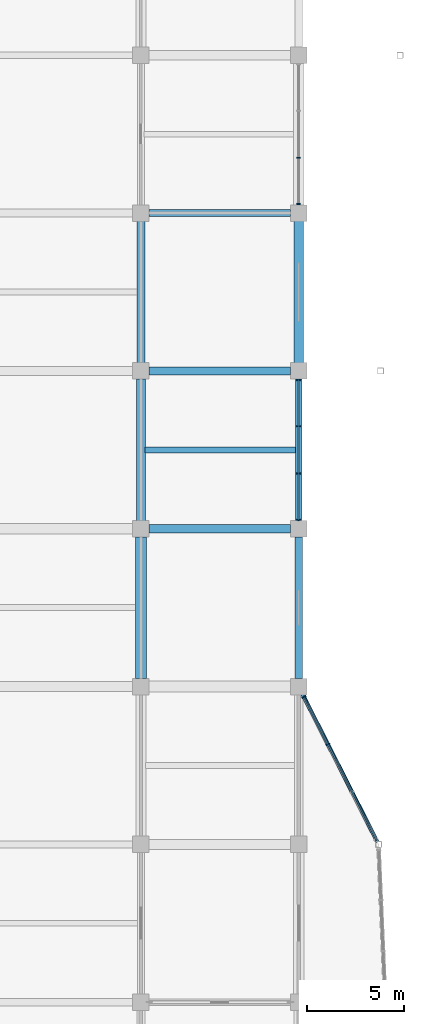
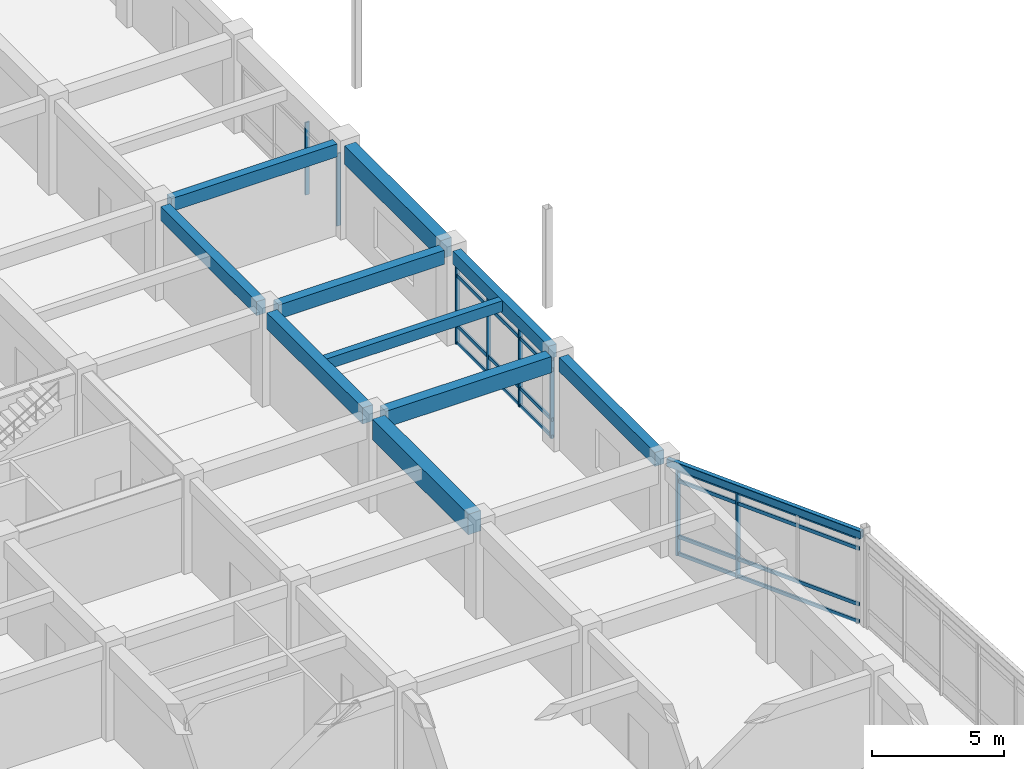
# One storey, part 38 of 93: 16 members, 11 beams, 3 elements without a shape of their own.
"""IFC4 building model written with IfcOpenShell, lengths in metres."""

from ifc_helpers import new_model, si_unit, direction, frame, origin, origin_2d, place, context, subcontext, project, spatial, rectangle, hollow_rectangle, extrude, material, layer, layer_set, material_profile, profile_set, type_object, element, aggregate, save


model = new_model("IFC4")

# Units and contexts
model_context = context("Model", 3, precision=1e-05, world=origin(), true_north=direction((0.0, 1.0)))
body_context = subcontext(model_context, "Body", "Model", "MODEL_VIEW")
ifc_project = project(units=[si_unit("LENGTHUNIT", "METRE"), si_unit("AREAUNIT", "SQUARE_METRE"), si_unit("VOLUMEUNIT", "CUBIC_METRE"), si_unit("PLANEANGLEUNIT", "RADIAN"), si_unit("MASSUNIT", "GRAM", prefix="KILO")], contexts=[model_context])

# Site, building, storey
site_placement = place(None, origin())
site = spatial("IfcSite", under=ifc_project, at=site_placement, CompositionType="ELEMENT")
building_placement = place(site_placement, origin())
building = spatial("IfcBuilding", under=site, at=building_placement, Name="Vaudrelin Polytechnic", CompositionType="ELEMENT")
storey_placement = place(building_placement, frame((0.0, 0.0, 5.10009765625)))
storey = spatial("IfcBuildingStorey", under=building, at=storey_placement, Name="L01", CompositionType="ELEMENT", Elevation=5.10009765625)

# Beams
ifc_material_1 = material(Name="Concrete 40 MPa", Category="concrete")
ifc_material_profile_1 = material_profile(ifc_material_1, rectangle(XDim=0.35009765625, YDim=0.60009765625, at=origin_2d()), Name="RC350x600")
ifc_profile_set_1 = profile_set([ifc_material_profile_1], Name="Concrete 40 MPa")
beam_type_1 = type_object("IfcBeamType", Name="BM-BM-RC3560", PredefinedType="BEAM", material=ifc_profile_set_1)
beam_1_placement = place(storey_placement, frame((170.10009765625, 65.2099609375, 4.010009765625), z_axis=(0.0, 1.0, 0.0), x_axis=(-1.0, 0.0, 0.0)))
element("IfcBeam", 1, at=beam_1_placement, inside=storey, type_object=beam_type_1, Name="L01 Y-beam 22-9", PredefinedType="BEAM", context=body_context, shape_type="SweptSolid", body=[
    extrude(rectangle(XDim=0.35009765625, YDim=0.60009765625, at=origin_2d()), origin(), (0.0, 0.0, 1.0), 7.280029296875),
])
beam_2_placement = place(storey_placement, frame((162.4208984375, 81.0, 4.010009765625), z_axis=(1.0, 0.0, 0.0), x_axis=(0.0, 1.0, 0.0)))
element("IfcBeam", 2, at=beam_2_placement, inside=storey, type_object=beam_type_1, Name="L01 X-beam 21-11", PredefinedType="BEAM", context=body_context, shape_type="SweptSolid", body=[
    extrude(rectangle(XDim=0.35009765625, YDim=0.60009765625, at=origin_2d()), origin(), (0.0, 0.0, 1.0), 7.258056640625),
])
ifc_material_profile_2 = material_profile(ifc_material_1, rectangle(XDim=0.39990234375, YDim=0.64990234375, at=origin_2d()), Name="RC400x650")
ifc_profile_set_2 = profile_set([ifc_material_profile_2], Name="Concrete 40 MPa")
beam_type_2 = type_object("IfcBeamType", Name="BM-BM-RC4065", PredefinedType="BEAM", material=ifc_profile_set_2)
beam_3_placement = place(storey_placement, frame((162.0, 73.31005859375, 3.98486328125), z_axis=(0.0, 1.0, 0.0), x_axis=(-1.0, 0.0, 0.0)))
element("IfcBeam", 3, at=beam_3_placement, inside=storey, type_object=beam_type_2, Name="L01 Y-beam 21-10", PredefinedType="BEAM", context=body_context, shape_type="SweptSolid", body=[
    extrude(rectangle(XDim=0.39990234375, YDim=0.64990234375, at=origin_2d()), origin(), (0.0, 0.0, 1.0), 7.280029296875),
])
beam_4_placement = place(storey_placement, frame((162.4208984375, 72.89990234375, 3.98486328125), z_axis=(1.0, 0.0, 0.0), x_axis=(0.0, 1.0, 0.0)))
element("IfcBeam", 4, at=beam_4_placement, inside=storey, type_object=beam_type_2, Name="L01 X-beam 21-10", PredefinedType="BEAM", context=body_context, shape_type="SweptSolid", body=[
    extrude(rectangle(XDim=0.39990234375, YDim=0.64990234375, at=origin_2d()), origin(), (0.0, 0.0, 1.0), 7.258056640625),
])
ifc_material_profile_3 = material_profile(ifc_material_1, rectangle(XDim=0.449951171875, YDim=0.75, at=origin_2d()), Name="RC450x750")
ifc_profile_set_3 = profile_set([ifc_material_profile_3], Name="Concrete 40 MPa")
beam_type_3 = type_object("IfcBeamType", Name="BM-BM-RC4575", PredefinedType="BEAM", material=ifc_profile_set_3)
beam_5_placement = place(storey_placement, frame((162.0, 65.2099609375, 3.934814453125), z_axis=(0.0, 1.0, 0.0), x_axis=(-1.0, 0.0, 0.0)))
element("IfcBeam", 5, at=beam_5_placement, inside=storey, type_object=beam_type_3, Name="L01 Y-beam 21-9", PredefinedType="BEAM", context=body_context, shape_type="SweptSolid", body=[
    extrude(rectangle(XDim=0.449951171875, YDim=0.75, at=origin_2d()), origin(), (0.0, 0.0, 1.0), 7.280029296875),
])
beam_6_placement = place(storey_placement, frame((162.4208984375, 64.800048828125, 3.934814453125), z_axis=(1.0, 0.0, 0.0), x_axis=(0.0, 1.0, 0.0)))
element("IfcBeam", 6, at=beam_6_placement, inside=storey, type_object=beam_type_3, Name="L01 X-beam 21-9", PredefinedType="BEAM", context=body_context, shape_type="SweptSolid", body=[
    extrude(rectangle(XDim=0.449951171875, YDim=0.75, at=origin_2d()), origin(), (0.0, 0.0, 1.0), 7.258056640625),
])
ifc_material_profile_4 = material_profile(ifc_material_1, rectangle(XDim=0.5, YDim=0.85009765625, at=origin_2d()), Name="RC500x850")
ifc_profile_set_4 = profile_set([ifc_material_profile_4], Name="Concrete 40 MPa")
beam_type_4 = type_object("IfcBeamType", Name="BM-BM-RC5085", PredefinedType="BEAM", material=ifc_profile_set_4)
beam_7_placement = place(storey_placement, frame((170.10009765625, 73.31005859375, 3.885009765625), z_axis=(0.0, 1.0, 0.0), x_axis=(-1.0, 0.0, 0.0)))
element("IfcBeam", 7, at=beam_7_placement, inside=storey, type_object=beam_type_4, Name="L01 Y-beam 22-10", PredefinedType="BEAM", context=body_context, shape_type="SweptSolid", body=[
    extrude(rectangle(XDim=0.5, YDim=0.85009765625, at=origin_2d()), origin(), (0.0, 0.0, 1.0), 7.280029296875),
])
ifc_material_2 = material(Name="Concrete 50 MPa", Category="concrete")
ifc_material_profile_5 = material_profile(ifc_material_2, rectangle(XDim=0.550048828125, YDim=0.949951171875, at=origin_2d()), Name="RC550x950")
ifc_profile_set_5 = profile_set([ifc_material_profile_5], Name="Concrete 50 MPa")
beam_type_5 = type_object("IfcBeamType", Name="BM-BM-RC5595", PredefinedType="BEAM", material=ifc_profile_set_5)
beam_8_placement = place(storey_placement, frame((162.0, 57.110107421875, 3.8349609375), z_axis=(0.0, 1.0, 0.0), x_axis=(-1.0, 0.0, 0.0)))
element("IfcBeam", 8, at=beam_8_placement, inside=storey, type_object=beam_type_5, Name="L01 Y-beam 21-8", PredefinedType="BEAM", context=body_context, shape_type="SweptSolid", body=[
    extrude(rectangle(XDim=0.550048828125, YDim=0.949951171875, at=origin_2d()), origin(), (0.0, 0.0, 1.0), 7.27978515625),
])
ifc_material_profile_6 = material_profile(ifc_material_1, rectangle(XDim=0.300048828125, YDim=0.5, at=origin_2d()), Name="RC300x500")
ifc_profile_set_6 = profile_set([ifc_material_profile_6], Name="Concrete 40 MPa")
beam_type_6 = type_object("IfcBeamType", Name="BM-JS-RC3050", PredefinedType="JOIST", material=ifc_profile_set_6)
beam_9_placement = place(storey_placement, frame((162.220947265625, 68.85009765625, 4.059814453125), z_axis=(1.0, 0.0, 0.0), x_axis=(0.0, 1.0, 0.0)))
element("IfcBeam", 9, at=beam_9_placement, inside=storey, type_object=beam_type_6, Name="L01 floor joist 21-9", PredefinedType="JOIST", context=body_context, shape_type="SweptSolid", body=[
    extrude(rectangle(XDim=0.300048828125, YDim=0.5, at=origin_2d()), origin(), (0.0, 0.0, 1.0), 7.7080078125),
])
ifc_material_3 = material(Name="Steel CSA G40.21 350WT", Category="steel")
ifc_material_profile_7 = material_profile(ifc_material_3, hollow_rectangle(XDim=0.202880859375, YDim=0.35595703125, WallThickness=0.0126953125, InnerFilletRadius=0.0126953125, OuterFilletRadius=0.025390625, at=origin_2d()), Name="HSS356x203x12.7")
ifc_profile_set_7 = profile_set([ifc_material_profile_7], Name="Steel CSA G40.21 350WT")
beam_type_7 = type_object("IfcBeamType", Name="BM-SP-HSS35", PredefinedType="SPANDREL", material=ifc_profile_set_7)
beam_10_placement = place(storey_placement, frame((174.13671875, 48.724853515625, 4.1318359375), z_axis=(-0.451614433944, 0.892213204931, 0.0), x_axis=(-0.892213204931, -0.451614433944, 0.0)))
element("IfcBeam", 10, at=beam_10_placement, inside=storey, type_object=beam_type_7, Name="Sculptural edge beam L01 E_OR1_B3", PredefinedType="SPANDREL", context=body_context, shape_type="SweptSolid", body=[
    extrude(hollow_rectangle(XDim=0.202880859375, YDim=0.35595703125, WallThickness=0.0126953125, InnerFilletRadius=0.0126953125, OuterFilletRadius=0.025390625, at=origin_2d()), origin(), (0.0, 0.0, 1.0), 8.798828125),
])
ifc_material_profile_8 = material_profile(ifc_material_1, rectangle(XDim=0.39990234375, YDim=0.64990234375, at=origin_2d()), Name="RC400x650")
ifc_profile_set_8 = profile_set([ifc_material_profile_8], Name="Concrete 40 MPa")
beam_type_8 = type_object("IfcBeamType", Name="BM-SP-RC4065", PredefinedType="SPANDREL", material=ifc_profile_set_8)
beam_11_placement = place(storey_placement, frame((170.10009765625, 57.110107421875, 3.98486328125), z_axis=(0.0, 1.0, 0.0), x_axis=(-1.0, 0.0, 0.0)))
element("IfcBeam", 11, at=beam_11_placement, inside=storey, type_object=beam_type_8, Name="L01 Y-beam 22-8", PredefinedType="SPANDREL", context=body_context, shape_type="SweptSolid", body=[
    extrude(rectangle(XDim=0.39990234375, YDim=0.64990234375, at=origin_2d()), origin(), (0.0, 0.0, 1.0), 7.27978515625),
])

# Curtain wall, members
ifc_material_4 = material(Name="Thermally broken anodised aluminium AA 6063-T6 and low-e triple glazing", Category="aluminium")
ifc_layer = layer(ifc_material_4, 0.199951171875)
ifc_layer_set = layer_set([ifc_layer], Name="Thermally broken anodised aluminium AA 6063-T6 and low-e triple glazing")
curtain_wall_type = type_object("IfcCurtainWallType", Name="CW-CW-LAB", PredefinedType="USERDEFINED", material=ifc_layer_set)
curtain_wall_1_placement = place(storey_placement, origin())
curtain_wall_1 = element("IfcCurtainWall", 12, at=curtain_wall_1_placement, inside=storey, type_object=curtain_wall_type, Name="Curtain wall L01 E_V4_06", ObjectType="CURTAIN WALL", PredefinedType="USERDEFINED")
ifc_material_5 = material(Name="Anodised aluminium AA 6063-T6", Category="aluminium")
ifc_material_profile_9 = material_profile(ifc_material_5, rectangle(XDim=0.06494140625, YDim=0.179931640625, at=origin_2d()), Name="CWM-65x180")
ifc_profile_set_9 = profile_set([ifc_material_profile_9], Name="Anodised aluminium AA 6063-T6")
member_type_1 = type_object("IfcMemberType", Name="MEM-CWM-180", PredefinedType="MULLION", material=ifc_profile_set_9)
member_1_placement = place(storey_placement, frame((170.10009765625, 65.262939453125, 0.0), z_axis=(0.0, 0.0, 1.0), x_axis=(0.0, 1.0, 0.0)))
member_1 = element("IfcMember", 13, at=member_1_placement, type_object=member_type_1, Name="E_V4_06 mullion 1", PredefinedType="MULLION", context=body_context, shape_type="SweptSolid", body=[
    extrude(rectangle(XDim=0.06494140625, YDim=0.179931640625, at=origin_2d()), origin(), (0.0, 0.0, 1.0), 3.7119140625),
])
member_2_placement = place(storey_placement, frame((170.10009765625, 67.64111328125, 0.0), z_axis=(0.0, 0.0, 1.0), x_axis=(0.0, 1.0, 0.0)))
member_2 = element("IfcMember", 14, at=member_2_placement, type_object=member_type_1, Name="E_V4_06 mullion 2", PredefinedType="MULLION", context=body_context, shape_type="SweptSolid", body=[
    extrude(rectangle(XDim=0.06494140625, YDim=0.179931640625, at=origin_2d()), origin(), (0.0, 0.0, 1.0), 3.7119140625),
])
member_3_placement = place(storey_placement, frame((170.10009765625, 70.05908203125, 0.0), z_axis=(0.0, 0.0, 1.0), x_axis=(0.0, 1.0, 0.0)))
member_3 = element("IfcMember", 15, at=member_3_placement, type_object=member_type_1, Name="E_V4_06 mullion 3", PredefinedType="MULLION", context=body_context, shape_type="SweptSolid", body=[
    extrude(rectangle(XDim=0.06494140625, YDim=0.179931640625, at=origin_2d()), origin(), (0.0, 0.0, 1.0), 3.7119140625),
])
member_4_placement = place(storey_placement, frame((170.10009765625, 72.43701171875, 0.0), z_axis=(0.0, 0.0, 1.0), x_axis=(0.0, 1.0, 0.0)))
member_4 = element("IfcMember", 16, at=member_4_placement, type_object=member_type_1, Name="E_V4_06 mullion 4", PredefinedType="MULLION", context=body_context, shape_type="SweptSolid", body=[
    extrude(rectangle(XDim=0.06494140625, YDim=0.179931640625, at=origin_2d()), origin(), (0.0, 0.0, 1.0), 3.7119140625),
])

curtain_wall_2_placement = place(storey_placement, origin())
curtain_wall_2 = element("IfcCurtainWall", 17, at=curtain_wall_2_placement, inside=storey, type_object=curtain_wall_type, Name="Curtain wall L01 E_V4_08", ObjectType="CURTAIN WALL", PredefinedType="USERDEFINED")
member_5_placement = place(storey_placement, frame((170.10009765625, 81.462890625, 0.0), z_axis=(0.0, 0.0, 1.0), x_axis=(0.0, 1.0, 0.0)))
member_5 = element("IfcMember", 18, at=member_5_placement, type_object=member_type_1, Name="E_V4_08 mullion 1", PredefinedType="MULLION", context=body_context, shape_type="SweptSolid", body=[
    extrude(rectangle(XDim=0.06494140625, YDim=0.179931640625, at=origin_2d()), origin(), (0.0, 0.0, 1.0), 3.36181640625),
])
member_6_placement = place(storey_placement, frame((170.10009765625, 83.841064453125, 0.0), z_axis=(0.0, 0.0, 1.0), x_axis=(0.0, 1.0, 0.0)))
member_6 = element("IfcMember", 19, at=member_6_placement, type_object=member_type_1, Name="E_V4_08 mullion 2", PredefinedType="MULLION", context=body_context, shape_type="SweptSolid", body=[
    extrude(rectangle(XDim=0.06494140625, YDim=0.179931640625, at=origin_2d()), origin(), (0.0, 0.0, 1.0), 3.36181640625),
])
aggregate(curtain_wall_2, [member_5, member_6])

curtain_wall_3_placement = place(storey_placement, origin())
curtain_wall_3 = element("IfcCurtainWall", 20, at=curtain_wall_3_placement, inside=storey, type_object=curtain_wall_type, Name="Curtain wall L01 E_OR1_3_0", ObjectType="CURTAIN WALL", PredefinedType="USERDEFINED")
ifc_material_profile_10 = material_profile(ifc_material_5, rectangle(XDim=0.074951171875, YDim=0.219970703125, at=origin_2d()), Name="CWM-75x220")
ifc_profile_set_10 = profile_set([ifc_material_profile_10], Name="Anodised aluminium AA 6063-T6")
member_type_2 = type_object("IfcMemberType", Name="MEM-CWM-220", PredefinedType="MULLION", material=ifc_profile_set_10)
member_7_placement = place(storey_placement, frame((171.59716796875, 53.7421875, 0.0), z_axis=(0.0, 0.0, 1.0), x_axis=(-0.451609402839, 0.892215751524, 0.0)))
member_7 = element("IfcMember", 21, at=member_7_placement, type_object=member_type_2, Name="E_OR1_3_0 mullion 3", PredefinedType="MULLION", context=body_context, shape_type="SweptSolid", body=[
    extrude(rectangle(XDim=0.074951171875, YDim=0.219970703125, at=origin_2d()), origin(), (0.0, 0.0, 1.0), 3.97998046875),
])
member_8_placement = place(storey_placement, frame((170.37158203125, 56.16357421875, 0.0), z_axis=(0.0, 0.0, 1.0), x_axis=(-0.451609402839, 0.892215751524, 0.0)))
member_8 = element("IfcMember", 22, at=member_8_placement, type_object=member_type_2, Name="E_OR1_3_0 mullion 4", PredefinedType="MULLION", context=body_context, shape_type="SweptSolid", body=[
    extrude(rectangle(XDim=0.074951171875, YDim=0.219970703125, at=origin_2d()), origin(), (0.0, 0.0, 1.0), 3.97998046875),
])

# Member
ifc_material_profile_11 = material_profile(ifc_material_5, rectangle(XDim=0.074951171875, YDim=0.1650390625, at=origin_2d()), Name="CWT-75x165")
ifc_profile_set_11 = profile_set([ifc_material_profile_11], Name="Anodised aluminium AA 6063-T6")
member_type_3 = type_object("IfcMemberType", Name="MEM-CWT-165", PredefinedType="USERDEFINED", material=ifc_profile_set_11)
member_9_placement = place(storey_placement, frame((170.10009765625, 65.222900390625, 0.0498046875), z_axis=(0.0, 1.0, 0.0), x_axis=(-1.0, 0.0, 0.0)))
member_9 = element("IfcMember", 23, at=member_9_placement, type_object=member_type_3, Name="E_V4_06 transom 1", ObjectType="TRANSOM", PredefinedType="USERDEFINED", context=body_context, shape_type="SweptSolid", body=[
    extrude(rectangle(XDim=0.074951171875, YDim=0.1650390625, at=origin_2d()), origin(), (0.0, 0.0, 1.0), 7.254150390625),
])

member_10_placement = place(storey_placement, frame((170.10009765625, 65.222900390625, 0.849853515625), z_axis=(0.0, 1.0, 0.0), x_axis=(-1.0, 0.0, 0.0)))
member_10 = element("IfcMember", 24, at=member_10_placement, type_object=member_type_3, Name="E_V4_06 transom 2", ObjectType="TRANSOM", PredefinedType="USERDEFINED", context=body_context, shape_type="SweptSolid", body=[
    extrude(rectangle(XDim=0.074951171875, YDim=0.1650390625, at=origin_2d()), origin(), (0.0, 0.0, 1.0), 7.254150390625),
])

member_11_placement = place(storey_placement, frame((170.10009765625, 65.222900390625, 3.161865234375), z_axis=(0.0, 1.0, 0.0), x_axis=(-1.0, 0.0, 0.0)))
member_11 = element("IfcMember", 25, at=member_11_placement, type_object=member_type_3, Name="E_V4_06 transom 3", ObjectType="TRANSOM", PredefinedType="USERDEFINED", context=body_context, shape_type="SweptSolid", body=[
    extrude(rectangle(XDim=0.074951171875, YDim=0.1650390625, at=origin_2d()), origin(), (0.0, 0.0, 1.0), 7.254150390625),
])

member_12_placement = place(storey_placement, frame((170.10009765625, 65.222900390625, 3.661865234375), z_axis=(0.0, 1.0, 0.0), x_axis=(-1.0, 0.0, 0.0)))
member_12 = element("IfcMember", 26, at=member_12_placement, type_object=member_type_3, Name="E_V4_06 transom 4", ObjectType="TRANSOM", PredefinedType="USERDEFINED", context=body_context, shape_type="SweptSolid", body=[
    extrude(rectangle(XDim=0.074951171875, YDim=0.1650390625, at=origin_2d()), origin(), (0.0, 0.0, 1.0), 7.254150390625),
])

aggregate(curtain_wall_1, [member_1, member_2, member_3, member_4, member_9, member_10, member_11, member_12])

member_13_placement = place(storey_placement, frame((174.08447265625, 48.828369140625, 0.0498046875), z_axis=(-0.451617355989, 0.892211725864, 0.0), x_axis=(-0.892211725864, -0.451617355989, 0.0)))
member_13 = element("IfcMember", 27, at=member_13_placement, type_object=member_type_3, Name="E_OR1_3_0 transom 1", ObjectType="TRANSOM", PredefinedType="USERDEFINED", context=body_context, shape_type="SweptSolid", body=[
    extrude(rectangle(XDim=0.074951171875, YDim=0.1650390625, at=origin_2d()), origin(), (0.0, 0.0, 1.0), 8.26123046875),
])

member_14_placement = place(storey_placement, frame((174.08447265625, 48.828369140625, 0.849853515625), z_axis=(-0.451617355989, 0.892211725864, 0.0), x_axis=(-0.892211725864, -0.451617355989, 0.0)))
member_14 = element("IfcMember", 28, at=member_14_placement, type_object=member_type_3, Name="E_OR1_3_0 transom 2", ObjectType="TRANSOM", PredefinedType="USERDEFINED", context=body_context, shape_type="SweptSolid", body=[
    extrude(rectangle(XDim=0.074951171875, YDim=0.1650390625, at=origin_2d()), origin(), (0.0, 0.0, 1.0), 8.26123046875),
])

member_15_placement = place(storey_placement, frame((174.08447265625, 48.828369140625, 3.429931640625), z_axis=(-0.451617355989, 0.892211725864, 0.0), x_axis=(-0.892211725864, -0.451617355989, 0.0)))
member_15 = element("IfcMember", 29, at=member_15_placement, type_object=member_type_3, Name="E_OR1_3_0 transom 3", ObjectType="TRANSOM", PredefinedType="USERDEFINED", context=body_context, shape_type="SweptSolid", body=[
    extrude(rectangle(XDim=0.074951171875, YDim=0.1650390625, at=origin_2d()), origin(), (0.0, 0.0, 1.0), 8.26123046875),
])

member_16_placement = place(storey_placement, frame((174.08447265625, 48.828369140625, 3.929931640625), z_axis=(-0.451617355989, 0.892211725864, 0.0), x_axis=(-0.892211725864, -0.451617355989, 0.0)))
member_16 = element("IfcMember", 30, at=member_16_placement, type_object=member_type_3, Name="E_OR1_3_0 transom 4", ObjectType="TRANSOM", PredefinedType="USERDEFINED", context=body_context, shape_type="SweptSolid", body=[
    extrude(rectangle(XDim=0.074951171875, YDim=0.1650390625, at=origin_2d()), origin(), (0.0, 0.0, 1.0), 8.26123046875),
])

aggregate(curtain_wall_3, [member_7, member_8, member_13, member_14, member_15, member_16])

save(model, "model.ifc")
